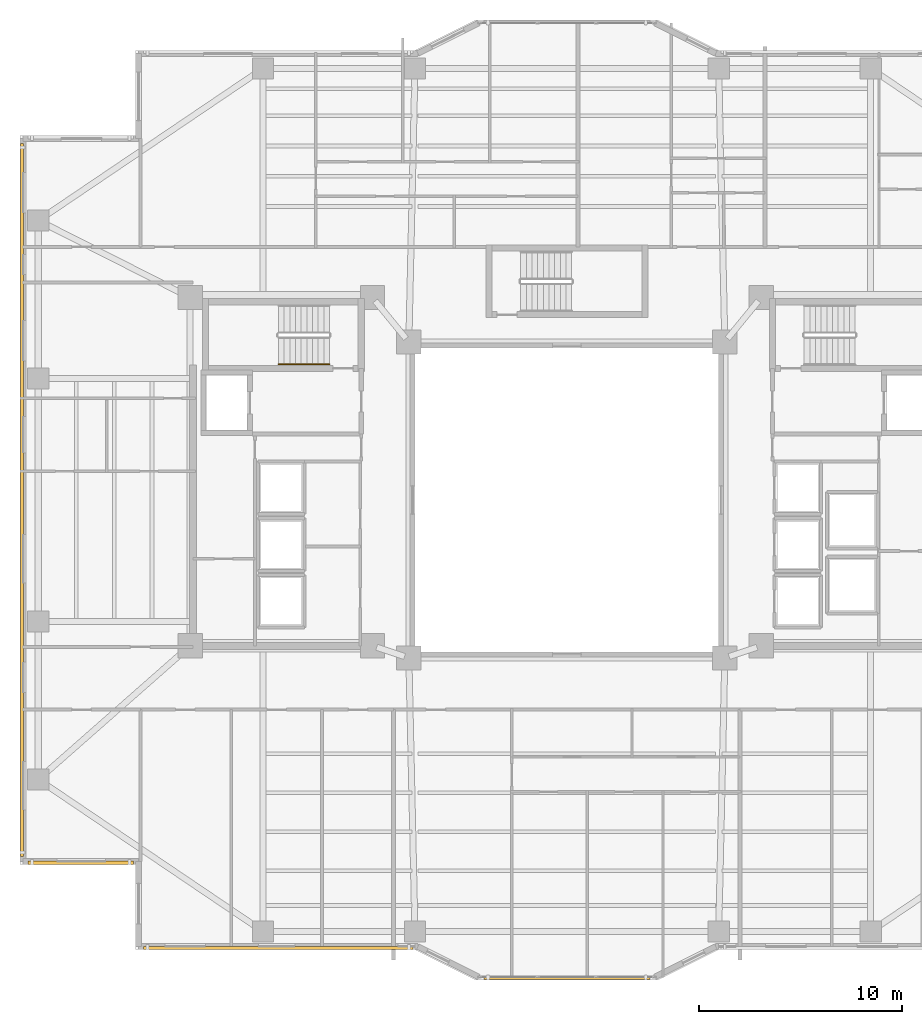
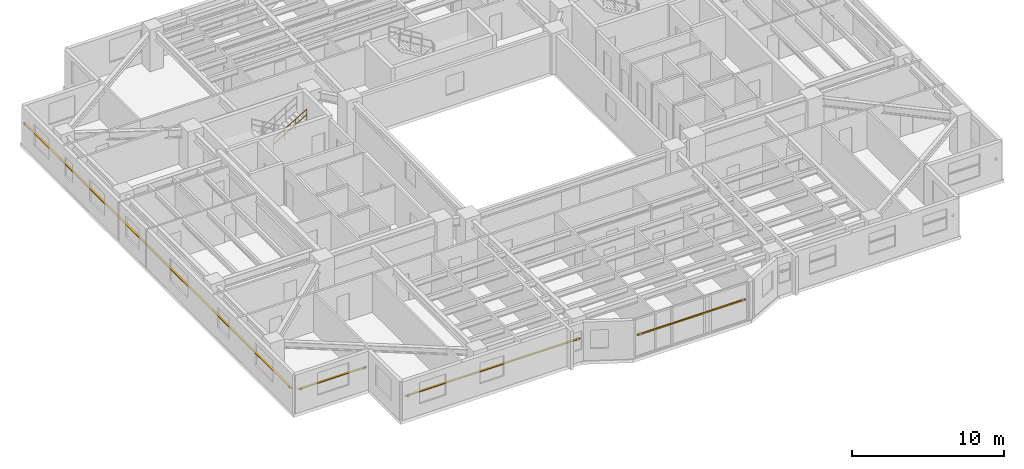
# One storey, part 14 of 18: 4 shading devices, 1 railing.
"""IFC4 building model written with IfcOpenShell, lengths in metres."""

import ifcopenshell
import ifcopenshell.guid

model = None  # the IFC model being written
_history = None  # IfcOwnerHistory: only IFC2X3 demands one
_inside = {}  # id of a spatial element -> (the spatial element, [elements in it])
_under = {}  # id of a project, library or spatial element -> (it, [spatial elements below it])
_declared = {}  # id of a project -> (the project, [libraries it declares])
_typed = {}  # id of a type object -> (the type object, [elements of that type])
_made_of = {}  # id of a material, layer set ... -> (it, [elements and type objects made of it])


def new_model(schema):
    """Start an empty IFC model of exactly this schema.

    Asked for "IFC4X3", IfcOpenShell would pick the latest addendum, in which some entities
    have other attributes; the version numbers below select the first issue.
    IFC2X3 requires an IfcOwnerHistory on every rooted entity: one is made here for all.
    """
    global model, _history
    if schema == "IFC4X3":
        model = ifcopenshell.file(schema_version=(4, 3, 0, 0))
    else:
        model = ifcopenshell.file(schema=schema)
    _inside.clear()
    _under.clear()
    _declared.clear()
    _typed.clear()
    _made_of.clear()
    _history = None
    if model.schema == "IFC2X3":
        org = make("IfcOrganization", Name="unknown")
        user = make(
            "IfcPersonAndOrganization",
            ThePerson=make("IfcPerson", FamilyName="unknown"),
            TheOrganization=org,
        )
        app = make(
            "IfcApplication",
            ApplicationDeveloper=org,
            Version="unknown",
            ApplicationFullName="unknown",
            ApplicationIdentifier="unknown",
        )
        _history = make(
            "IfcOwnerHistory",
            OwningUser=user,
            OwningApplication=app,
            ChangeAction="ADDED",
            CreationDate=0,
        )
    return model


def make(cls, **values):
    """One entity of the class cls with the attributes given. An attribute that is None is left unset."""
    return model.create_entity(
        cls, **{name: value for name, value in values.items() if value is not None}
    )


def rooted(cls, **values):
    """An entity with a GlobalId (a new one), such as an element, a storey or a relation."""
    return make(cls, GlobalId=ifcopenshell.guid.new(), OwnerHistory=_history, **values)


def si_unit(unit_type, name, prefix=None):
    """IfcSIUnit, for example si_unit("LENGTHUNIT", "METRE", prefix="MILLI")."""
    return make("IfcSIUnit", UnitType=unit_type, Prefix=prefix, Name=name)


def assignment(units):
    """IfcUnitAssignment: the units of a project."""
    return None if units is None else make("IfcUnitAssignment", Units=units)


def point(xyz):
    """IfcCartesianPoint."""
    return None if xyz is None else make("IfcCartesianPoint", Coordinates=xyz)


def direction(xyz):
    """IfcDirection."""
    return None if xyz is None else make("IfcDirection", DirectionRatios=xyz)


def frame(location, z_axis=None, x_axis=None):
    """IfcAxis2Placement3D, a coordinate frame: its origin and axes. An axis left out is left unset."""
    return make(
        "IfcAxis2Placement3D",
        Location=point(location),
        Axis=direction(z_axis),
        RefDirection=direction(x_axis),
    )


def frame_2d(location, x_axis=None):
    """IfcAxis2Placement2D, a coordinate frame in the plane: its origin and x axis."""
    return make(
        "IfcAxis2Placement2D", Location=point(location), RefDirection=direction(x_axis)
    )


def origin():
    """The frame at (0, 0, 0) with its axes left unset."""
    return frame((0.0, 0.0, 0.0))


def origin_2d():
    """The frame at (0, 0) in the plane with its x axis left unset."""
    return frame_2d((0.0, 0.0))


def place(relative_to, where):
    """IfcLocalPlacement: puts the frame where relative to a parent placement (None: the world)."""
    return make(
        "IfcLocalPlacement", PlacementRelTo=relative_to, RelativePlacement=where
    )


def context(
    kind, dimensions, precision=None, world=None, true_north=None, identifier=None
):
    """IfcGeometricRepresentationContext, for example the 3D "Model" context."""
    return make(
        "IfcGeometricRepresentationContext",
        ContextIdentifier=identifier,
        ContextType=kind,
        CoordinateSpaceDimension=dimensions,
        Precision=precision,
        WorldCoordinateSystem=world,
        TrueNorth=true_north,
    )


def subcontext(parent, identifier, kind, view, scale=None):
    """IfcGeometricRepresentationSubContext, for example "Body" below "Model"."""
    return make(
        "IfcGeometricRepresentationSubContext",
        ContextIdentifier=identifier,
        ContextType=kind,
        ParentContext=parent,
        TargetScale=scale,
        TargetView=view,
    )


def project(units=None, contexts=None):
    """IfcProject with its units and contexts."""
    return rooted(
        "IfcProject",
        Name="project",
        RepresentationContexts=contexts,
        UnitsInContext=assignment(units),
    )


def spatial(cls, under=None, at=None, **own):
    """A site, building, storey or space (cls), placed at a placement, below another one or the project."""
    s = rooted(cls, ObjectPlacement=at, **own)
    if under is not None:
        _under.setdefault(under.id(), (under, []))[1].append(s)
    return s


def profile(cls, at=None, kind="AREA", **sizes):
    """A parametric profile (cls). Its sizes go by their IFC names, for example OverallWidth=200.0."""
    return make(cls, ProfileType=kind, Position=at, **sizes)


def rectangle(**sizes):
    """IfcRectangleProfileDef."""
    return profile("IfcRectangleProfileDef", **sizes)


def circle(**sizes):
    """IfcCircleProfileDef."""
    return profile("IfcCircleProfileDef", **sizes)


def extrude(swept, where, along, depth):
    """IfcExtrudedAreaSolid: the profile swept, set in the frame where, extruded along a direction by depth."""
    return make(
        "IfcExtrudedAreaSolid",
        SweptArea=swept,
        Position=where,
        ExtrudedDirection=direction(along),
        Depth=depth,
    )


def shape(context_of_items, identifier, shape_type, items):
    """IfcShapeRepresentation: the items that make up one representation, for example the "Body"."""
    return make(
        "IfcShapeRepresentation",
        ContextOfItems=context_of_items,
        RepresentationIdentifier=identifier,
        RepresentationType=shape_type,
        Items=items,
    )


def material(Name=None, Category=None):
    """IfcMaterial."""
    return make("IfcMaterial", Name=Name, Category=Category)


def material_profile(
    of_material, cross_section, Name=None, Category=None, Priority=None
):
    """IfcMaterialProfile: a cross section and its material."""
    return make(
        "IfcMaterialProfile",
        Name=Name,
        Material=of_material,
        Profile=cross_section,
        Priority=Priority,
        Category=Category,
    )


def profile_set(profiles, Name=None, composite=None):
    """IfcMaterialProfileSet."""
    return make(
        "IfcMaterialProfileSet",
        Name=Name,
        MaterialProfiles=profiles,
        CompositeProfile=composite,
    )


def made_of(thing, what):
    """Note that an element or type object is made of a material, layer set ...; save() writes the relation."""
    if what is not None:
        _made_of.setdefault(what.id(), (what, []))[1].append(thing)
    return thing


def type_object(cls, material=None, **own):
    """A type object (cls), such as IfcWallType, which elements share."""
    return made_of(rooted(cls, **own), material)


def element(
    cls,
    number,
    at=None,
    inside=None,
    cuts=None,
    type_object=None,
    material=None,
    context=None,
    identifier="Body",
    shape_type=None,
    held_by="IfcProductDefinitionShape",
    body=None,
    shapes=None,
    **own,
):
    """One element of the class cls, such as IfcWall. Its Tag is "e" and its number.

    at: its placement. inside: the storey or other place that contains it. cuts: it is an
    opening in that element (IfcRelVoidsElement). A single representation is given by context,
    identifier, shape_type and body (its items); several are given by shapes. held_by: the class
    of the entity that holds the representations. save() writes the other relations.
    """
    e = rooted(cls, Tag="e%d" % number, ObjectPlacement=at, **own)
    if body is not None:
        shapes = [shape(context, identifier, shape_type, body)]
    if shapes is not None:
        e.Representation = make(held_by, Representations=shapes)
    if inside is not None:
        _inside.setdefault(inside.id(), (inside, []))[1].append(e)
    if cuts is not None:
        rooted(
            "IfcRelVoidsElement", RelatingBuildingElement=cuts, RelatedOpeningElement=e
        )
    if type_object is not None:
        _typed.setdefault(type_object.id(), (type_object, []))[1].append(e)
    return made_of(e, material)


def aggregate(whole, parts):
    """IfcRelAggregates: a whole, such as a stair, and the parts it consists of."""
    return rooted("IfcRelAggregates", RelatingObject=whole, RelatedObjects=parts)


def save(model, path):
    """Write the relations noted so far, then the file.

    IfcRelAggregates (storeys below a building ...), IfcRelContainedInSpatialStructure (elements
    in a storey), IfcRelDefinesByType, IfcRelAssociatesMaterial and IfcRelDeclares: one each for
    every whole, place, type object, material and project.
    """
    for whole, parts in _under.values():
        aggregate(whole, parts)
    for where, things in _inside.values():
        rooted(
            "IfcRelContainedInSpatialStructure",
            RelatedElements=things,
            RelatingStructure=where,
        )
    for kind, things in _typed.values():
        rooted("IfcRelDefinesByType", RelatedObjects=things, RelatingType=kind)
    for what, things in _made_of.values():
        rooted("IfcRelAssociatesMaterial", RelatedObjects=things, RelatingMaterial=what)
    for by, libraries in _declared.values():
        rooted("IfcRelDeclares", RelatingContext=by, RelatedDefinitions=libraries)
    model.write(path)


model = new_model("IFC4")

# Units and contexts
model_context = context("Model", 3, precision=1e-05, world=origin(), true_north=direction((0.0, 1.0)))
body_context = subcontext(model_context, "Body", "Model", "MODEL_VIEW")
ifc_project = project(units=[si_unit("LENGTHUNIT", "METRE"), si_unit("AREAUNIT", "SQUARE_METRE"), si_unit("VOLUMEUNIT", "CUBIC_METRE"), si_unit("PLANEANGLEUNIT", "RADIAN"), si_unit("MASSUNIT", "GRAM", prefix="KILO")], contexts=[model_context])

# Site, building, storey
site_placement = place(None, origin())
site = spatial("IfcSite", under=ifc_project, at=site_placement, CompositionType="ELEMENT")
building_placement = place(site_placement, origin())
building = spatial("IfcBuilding", under=site, at=building_placement, Name="Tarnavaz Court Tower", CompositionType="ELEMENT")
storey_placement = place(building_placement, frame((0.0, 0.0, 91.699951171875)))
storey = spatial("IfcBuildingStorey", under=building, at=storey_placement, Name="L24", CompositionType="ELEMENT", Elevation=91.699951171875)

# Railing
ifc_material_1 = material(Name="Brushed Stainless Steel", Category="steel")
railing_type = type_object("IfcRailingType", Name="RL-HANDRAIL-900", PredefinedType="HANDRAIL", material=ifc_material_1)
railing_placement = place(storey_placement, frame((-14.239990234375, 6.699951171875, 1.842529296875)))
element("IfcRailing", 1, at=railing_placement, inside=storey, type_object=railing_type, Name="L24 ST-W1 stair handrail 2", PredefinedType="HANDRAIL", context=body_context, shape_type="SweptSolid", body=[
    extrude(circle(Radius=0.02392578125, at=origin_2d()), frame((0.0, 0.0, 0.8759765625), z_axis=(0.858159760407, 0.0, 0.513382728203), x_axis=(0.0, 1.0, 0.0)), (0.0, 0.0, 1.0), 2.9365234375),
    extrude(circle(Radius=0.02392578125, at=origin_2d()), frame((0.0, 0.0, 0.449951171875), z_axis=(0.858159760407, 0.0, 0.513382728203), x_axis=(0.0, 1.0, 0.0)), (0.0, 0.0, 1.0), 2.9365234375),
    extrude(circle(Radius=0.02099609375, at=origin_2d()), origin(), (0.0, 0.0, 1.0), 0.851806640625),
    extrude(circle(Radius=0.02099609375, at=origin_2d()), frame((0.840087890625, 0.0, 0.50244140625)), (0.0, 0.0, 1.0), 0.851806640625),
    extrude(circle(Radius=0.02099609375, at=origin_2d()), frame((1.679931640625, 0.0, 1.005126953125)), (0.0, 0.0, 1.0), 0.851806640625),
    extrude(circle(Radius=0.02099609375, at=origin_2d()), frame((2.52001953125, 0.0, 1.507568359375)), (0.0, 0.0, 1.0), 0.851806640625),
])

# Shading devices
ifc_material_2 = material(Name="Kiln-Fired Khorasan Terracotta Ceramic", Category="masonry")
ifc_material_profile_1 = material_profile(ifc_material_2, rectangle(XDim=0.1201171875, YDim=0.06005859375, at=origin_2d()), Name="TC BAGUETTE 120X60")
ifc_profile_set_1 = profile_set([ifc_material_profile_1], Name="Kiln-Fired Khorasan Terracotta Ceramic")
shading_device_type_1 = type_object("IfcShadingDeviceType", Name="SD-BAG-120", PredefinedType="USERDEFINED", material=ifc_profile_set_1)
shading_device_1_placement = place(storey_placement, frame((4.10009765625, -23.610107421875, 1.800048828125), z_axis=(-1.0, 0.0, 0.0), x_axis=(0.0, -1.0, 0.0)))
element("IfcShadingDevice", 2, at=shading_device_1_placement, inside=storey, type_object=shading_device_type_1, Name="L24 Terracotta Baguette Screen PBG17", ObjectType="BAGUETTE", PredefinedType="USERDEFINED", context=body_context, shape_type="SweptSolid", body=[
    extrude(rectangle(XDim=0.1201171875, YDim=0.06005859375, at=origin_2d()), origin(), (0.0, 0.0, 1.0), 8.2001953125),
])
ifc_material_profile_2 = material_profile(ifc_material_2, rectangle(XDim=0.14990234375, YDim=0.06494140625, at=origin_2d()), Name="TC BAGUETTE 150X65")
ifc_profile_set_2 = profile_set([ifc_material_profile_2], Name="Kiln-Fired Khorasan Terracotta Ceramic")
shading_device_type_2 = type_object("IfcShadingDeviceType", Name="SD-BAG-150", PredefinedType="USERDEFINED", material=ifc_profile_set_2)
shading_device_2_placement = place(storey_placement, frame((-21.39990234375, -17.909912109375, 1.85009765625), z_axis=(-1.0, 0.0, 0.0), x_axis=(0.0, -1.0, 0.0)))
element("IfcShadingDevice", 3, at=shading_device_2_placement, inside=storey, type_object=shading_device_type_2, Name="L24 Terracotta Baguette Screen FBG01", ObjectType="BAGUETTE", PredefinedType="USERDEFINED", context=body_context, shape_type="SweptSolid", body=[
    extrude(rectangle(XDim=0.14990234375, YDim=0.06494140625, at=origin_2d()), origin(), (0.0, 0.0, 1.0), 5.2001953125),
])
shading_device_3_placement = place(storey_placement, frame((-26.909912109375, -17.60009765625, 1.85009765625), z_axis=(0.0, 1.0, 0.0), x_axis=(-1.0, 0.0, 0.0)))
element("IfcShadingDevice", 4, at=shading_device_3_placement, inside=storey, type_object=shading_device_type_2, Name="L24 Terracotta Baguette Screen FBG02", ObjectType="BAGUETTE", PredefinedType="USERDEFINED", context=body_context, shape_type="SweptSolid", body=[
    extrude(rectangle(XDim=0.14990234375, YDim=0.06494140625, at=origin_2d()), origin(), (0.0, 0.0, 1.0), 35.2001953125),
])
shading_device_4_placement = place(storey_placement, frame((-7.60009765625, -22.110107421875, 1.85009765625), z_axis=(-1.0, 0.0, 0.0), x_axis=(0.0, -1.0, 0.0)))
element("IfcShadingDevice", 5, at=shading_device_4_placement, inside=storey, type_object=shading_device_type_2, Name="L24 Terracotta Baguette Screen FBG19", ObjectType="BAGUETTE", PredefinedType="USERDEFINED", context=body_context, shape_type="SweptSolid", body=[
    extrude(rectangle(XDim=0.14990234375, YDim=0.06494140625, at=origin_2d()), origin(), (0.0, 0.0, 1.0), 13.2998046875),
])

save(model, "model.ifc")
